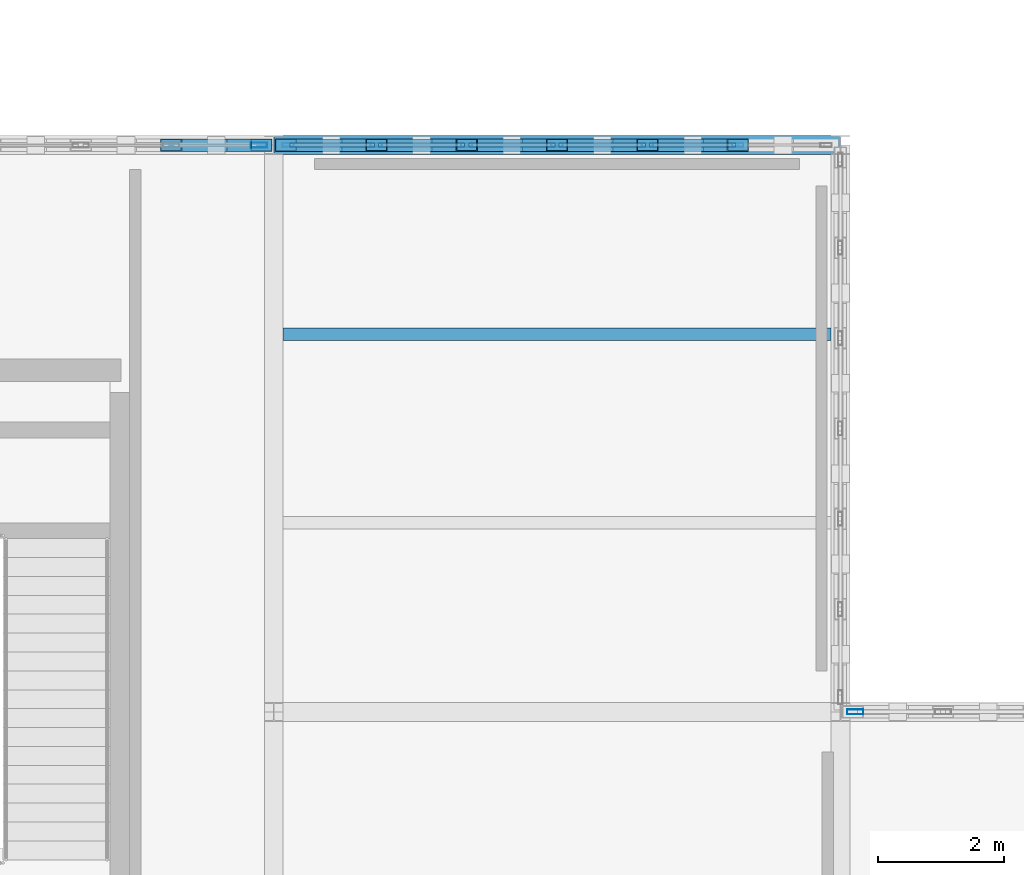
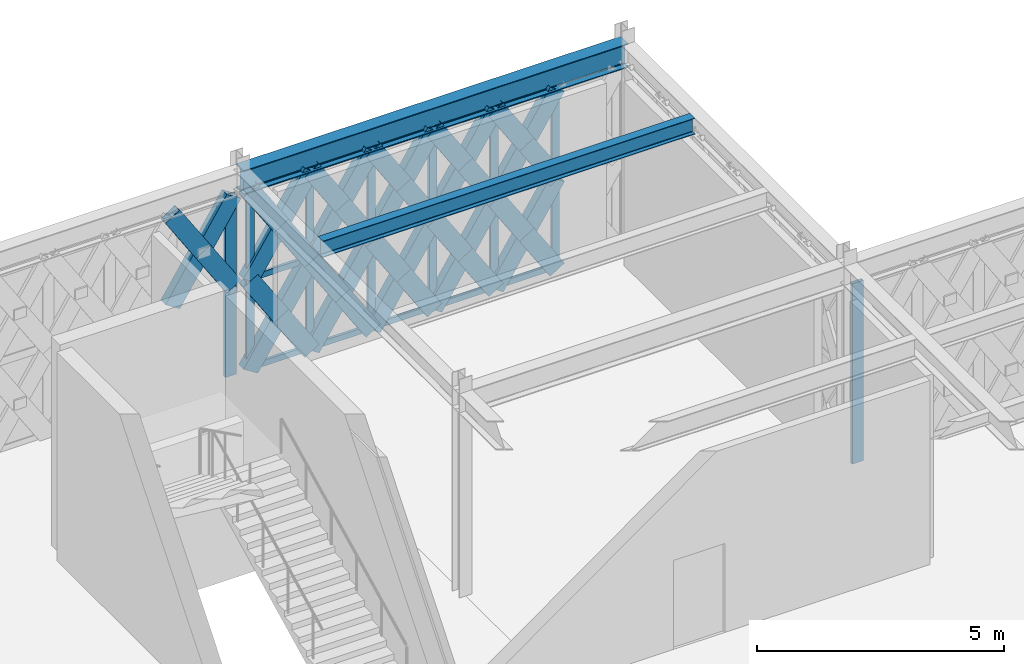
# One storey, part 111 of 155: 56 members, 2 beams, 3 elements without a shape of their own.
"""IFC4 building model written with IfcOpenShell, lengths in metres."""

from ifc_helpers import new_model, si_unit, direction, frame, origin, origin_2d, place, context, subcontext, project, spatial, hollow_rectangle, i_section, extrude, material, material_profile, profile_set, type_object, element, aggregate, save


model = new_model("IFC4")

# Units and contexts
model_context = context("Model", 3, precision=1e-05, world=origin(), true_north=direction((0.0, 1.0)))
body_context = subcontext(model_context, "Body", "Model", "MODEL_VIEW")
ifc_project = project(units=[si_unit("LENGTHUNIT", "METRE"), si_unit("AREAUNIT", "SQUARE_METRE"), si_unit("VOLUMEUNIT", "CUBIC_METRE"), si_unit("PLANEANGLEUNIT", "RADIAN"), si_unit("MASSUNIT", "GRAM", prefix="KILO")], contexts=[model_context])

# Site, building, storey
site_placement = place(None, origin())
site = spatial("IfcSite", under=ifc_project, at=site_placement, CompositionType="ELEMENT")
building_placement = place(site_placement, origin())
building = spatial("IfcBuilding", under=site, at=building_placement, Name="Haizhuo Lancet Aquarium", CompositionType="ELEMENT")
storey_placement = place(building_placement, frame((0.0, 0.0, 10.800048828125)))
storey = spatial("IfcBuildingStorey", under=building, at=storey_placement, Name="L02", CompositionType="ELEMENT", Elevation=10.800048828125)

# Beam
ifc_material_1 = material(Name="Steel S355", Category="steel")
ifc_material_profile_1 = material_profile(ifc_material_1, i_section(OverallWidth=0.300048828125, OverallDepth=0.587890625, WebThickness=0.011962890625, FlangeThickness=0.02001953125, FilletRadius=0.02587890625, at=origin_2d()), Name="HM 588x300x12x20")
ifc_profile_set_1 = profile_set([ifc_material_profile_1], Name="Steel S355")
beam_type_1 = type_object("IfcBeamType", Name="BM-ST-HM588", PredefinedType="BEAM", material=ifc_profile_set_1)
beam_1_placement = place(storey_placement, frame((54.0, 36.0, 4.755859375), z_axis=(1.0, 0.0, 0.0), x_axis=(0.0, 1.0, 0.0)))
element("IfcBeam", 1, at=beam_1_placement, inside=storey, type_object=beam_type_1, Name="L02 V7 primary girder BM-L02-V7-020", PredefinedType="BEAM", context=body_context, shape_type="SweptSolid", body=[
    extrude(i_section(OverallWidth=0.300048828125, OverallDepth=0.587890625, WebThickness=0.011962890625, FlangeThickness=0.02001953125, FilletRadius=0.02587890625, at=origin_2d()), origin(), (0.0, 0.0, 1.0), 9.0),
])

# Curtain wall, members
ifc_material_2 = material(Name="Aluminium 6063-T6", Category="aluminium")
curtain_wall_type = type_object("IfcCurtainWallType", Name="CWD-8610x4460", PredefinedType="NOTDEFINED", material=ifc_material_2)
curtain_wall_1_placement = place(storey_placement, origin())
curtain_wall_1 = element("IfcCurtainWall", 2, at=curtain_wall_1_placement, inside=storey, type_object=curtain_wall_type, Name="L02 curtain wall CW-V7-L02-298", PredefinedType="NOTDEFINED")
ifc_material_profile_2 = material_profile(ifc_material_2, hollow_rectangle(XDim=0.06494140625, YDim=0.179931640625, WallThickness=0.00390625, at=origin_2d()), Name="ALU-M 65x180x4")
ifc_profile_set_2 = profile_set([ifc_material_profile_2], Name="Aluminium 6063-T6")
member_type_1 = type_object("IfcMemberType", Name="CW-MUL-1", PredefinedType="MULLION", material=ifc_profile_set_2)
member_1_placement = place(storey_placement, frame((54.22705078125, 36.0, 0.0), z_axis=(0.0, 0.0, 1.0), x_axis=(0.0, 1.0, 0.0)))
member_1 = element("IfcMember", 3, at=member_1_placement, type_object=member_type_1, Name="CWD-86x44 mullion 1", PredefinedType="MULLION", context=body_context, shape_type="SweptSolid", body=[
    extrude(hollow_rectangle(XDim=0.06494140625, YDim=0.179931640625, WallThickness=0.00390625, at=origin_2d()), origin(), (0.0, 0.0, 1.0), 4.4619140625),
])
member_2_placement = place(storey_placement, frame((55.6298828125, 36.0, 0.0), z_axis=(0.0, 0.0, 1.0), x_axis=(0.0, 1.0, 0.0)))
member_2 = element("IfcMember", 4, at=member_2_placement, type_object=member_type_1, Name="CWD-86x44 mullion 2", PredefinedType="MULLION", context=body_context, shape_type="SweptSolid", body=[
    extrude(hollow_rectangle(XDim=0.06494140625, YDim=0.179931640625, WallThickness=0.00390625, at=origin_2d()), origin(), (0.0, 0.0, 1.0), 4.4619140625),
])
member_3_placement = place(storey_placement, frame((57.06494140625, 36.0, 0.0), z_axis=(0.0, 0.0, 1.0), x_axis=(0.0, 1.0, 0.0)))
member_3 = element("IfcMember", 5, at=member_3_placement, type_object=member_type_1, Name="CWD-86x44 mullion 3", PredefinedType="MULLION", context=body_context, shape_type="SweptSolid", body=[
    extrude(hollow_rectangle(XDim=0.06494140625, YDim=0.179931640625, WallThickness=0.00390625, at=origin_2d()), origin(), (0.0, 0.0, 1.0), 4.4619140625),
])
member_4_placement = place(storey_placement, frame((58.5, 36.0, 0.0), z_axis=(0.0, 0.0, 1.0), x_axis=(0.0, 1.0, 0.0)))
member_4 = element("IfcMember", 6, at=member_4_placement, type_object=member_type_1, Name="CWD-86x44 mullion 4", PredefinedType="MULLION", context=body_context, shape_type="SweptSolid", body=[
    extrude(hollow_rectangle(XDim=0.06494140625, YDim=0.179931640625, WallThickness=0.00390625, at=origin_2d()), origin(), (0.0, 0.0, 1.0), 4.4619140625),
])
member_5_placement = place(storey_placement, frame((59.93505859375, 36.0, 0.0), z_axis=(0.0, 0.0, 1.0), x_axis=(0.0, 1.0, 0.0)))
member_5 = element("IfcMember", 7, at=member_5_placement, type_object=member_type_1, Name="CWD-86x44 mullion 5", PredefinedType="MULLION", context=body_context, shape_type="SweptSolid", body=[
    extrude(hollow_rectangle(XDim=0.06494140625, YDim=0.179931640625, WallThickness=0.00390625, at=origin_2d()), origin(), (0.0, 0.0, 1.0), 4.4619140625),
])
member_6_placement = place(storey_placement, frame((61.3701171875, 36.0, 0.0), z_axis=(0.0, 0.0, 1.0), x_axis=(0.0, 1.0, 0.0)))
member_6 = element("IfcMember", 8, at=member_6_placement, type_object=member_type_1, Name="CWD-86x44 mullion 6", PredefinedType="MULLION", context=body_context, shape_type="SweptSolid", body=[
    extrude(hollow_rectangle(XDim=0.06494140625, YDim=0.179931640625, WallThickness=0.00390625, at=origin_2d()), origin(), (0.0, 0.0, 1.0), 4.4619140625),
])

# Curtain wall, member
curtain_wall_2_placement = place(storey_placement, origin())
curtain_wall_2 = element("IfcCurtainWall", 9, at=curtain_wall_2_placement, inside=storey, type_object=curtain_wall_type, Name="L02 curtain wall CW-V7-L02-297", PredefinedType="NOTDEFINED")
ifc_material_profile_3 = material_profile(ifc_material_2, hollow_rectangle(XDim=0.080078125, YDim=0.260009765625, WallThickness=0.0048828125, at=origin_2d()), Name="ALU-M 80x260x5")
ifc_profile_set_3 = profile_set([ifc_material_profile_3], Name="Aluminium 6063-T6")
member_type_2 = type_object("IfcMemberType", Name="CW-MUL-3", PredefinedType="MULLION", material=ifc_profile_set_3)
member_7_placement = place(storey_placement, frame((53.764892578125, 36.0, 0.0), z_axis=(0.0, 0.0, 1.0), x_axis=(0.0, 1.0, 0.0)))
member_7 = element("IfcMember", 10, at=member_7_placement, type_object=member_type_2, Name="CWD-86x44 mullion 7", PredefinedType="MULLION", context=body_context, shape_type="SweptSolid", body=[
    extrude(hollow_rectangle(XDim=0.080078125, YDim=0.260009765625, WallThickness=0.0048828125, at=origin_2d()), origin(), (0.0, 0.0, 1.0), 4.4619140625),
])
aggregate(curtain_wall_2, [member_7])

curtain_wall_3_placement = place(storey_placement, origin())
curtain_wall_3 = element("IfcCurtainWall", 11, at=curtain_wall_3_placement, inside=storey, type_object=curtain_wall_type, Name="L02 curtain wall CW-V7-L02-300", PredefinedType="NOTDEFINED")
member_8_placement = place(storey_placement, frame((63.235107421875, 27.0, 0.0), z_axis=(0.0, 0.0, 1.0), x_axis=(0.0, 1.0, 0.0)))
member_8 = element("IfcMember", 12, at=member_8_placement, type_object=member_type_2, Name="CWD-86x44 mullion 1", PredefinedType="MULLION", context=body_context, shape_type="SweptSolid", body=[
    extrude(hollow_rectangle(XDim=0.080078125, YDim=0.260009765625, WallThickness=0.0048828125, at=origin_2d()), origin(), (0.0, 0.0, 1.0), 4.4619140625),
])
aggregate(curtain_wall_3, [member_8])

# Member
ifc_material_profile_4 = material_profile(ifc_material_2, hollow_rectangle(XDim=0.06494140625, YDim=0.139892578125, WallThickness=0.00390625, at=origin_2d()), Name="ALU-T 65x140x4")
ifc_profile_set_4 = profile_set([ifc_material_profile_4], Name="Aluminium 6063-T6")
member_type_3 = type_object("IfcMemberType", Name="CW-TRN-1", PredefinedType="NOTDEFINED", material=ifc_profile_set_4)
member_9_placement = place(storey_placement, frame((54.260009765625, 36.0, 0.032958984375), z_axis=(1.0, 0.0, 0.0), x_axis=(0.0, 1.0, 0.0)))
member_9 = element("IfcMember", 13, at=member_9_placement, type_object=member_type_3, Name="CWD-86x44 transom 1.1", ObjectType="TRANSOM", PredefinedType="USERDEFINED", context=body_context, shape_type="SweptSolid", body=[
    extrude(hollow_rectangle(XDim=0.06494140625, YDim=0.139892578125, WallThickness=0.00390625, at=origin_2d()), origin(), (0.0, 0.0, 1.0), 1.3369140625),
])

member_10_placement = place(storey_placement, frame((54.260009765625, 36.0, 2.23095703125), z_axis=(1.0, 0.0, 0.0), x_axis=(0.0, 1.0, 0.0)))
member_10 = element("IfcMember", 14, at=member_10_placement, type_object=member_type_3, Name="CWD-86x44 transom 1.2", ObjectType="TRANSOM", PredefinedType="USERDEFINED", context=body_context, shape_type="SweptSolid", body=[
    extrude(hollow_rectangle(XDim=0.06494140625, YDim=0.139892578125, WallThickness=0.00390625, at=origin_2d()), origin(), (0.0, 0.0, 1.0), 1.3369140625),
])

member_11_placement = place(storey_placement, frame((54.260009765625, 36.0, 4.428955078125), z_axis=(1.0, 0.0, 0.0), x_axis=(0.0, 1.0, 0.0)))
member_11 = element("IfcMember", 15, at=member_11_placement, type_object=member_type_3, Name="CWD-86x44 transom 1.3", ObjectType="TRANSOM", PredefinedType="USERDEFINED", context=body_context, shape_type="SweptSolid", body=[
    extrude(hollow_rectangle(XDim=0.06494140625, YDim=0.139892578125, WallThickness=0.00390625, at=origin_2d()), origin(), (0.0, 0.0, 1.0), 1.3369140625),
])

member_12_placement = place(storey_placement, frame((55.6630859375, 36.0, 0.032958984375), z_axis=(1.0, 0.0, 0.0), x_axis=(0.0, 1.0, 0.0)))
member_12 = element("IfcMember", 16, at=member_12_placement, type_object=member_type_3, Name="CWD-86x44 transom 2.1", ObjectType="TRANSOM", PredefinedType="USERDEFINED", context=body_context, shape_type="SweptSolid", body=[
    extrude(hollow_rectangle(XDim=0.06494140625, YDim=0.139892578125, WallThickness=0.00390625, at=origin_2d()), origin(), (0.0, 0.0, 1.0), 1.368896484375),
])

member_13_placement = place(storey_placement, frame((55.6630859375, 36.0, 2.23095703125), z_axis=(1.0, 0.0, 0.0), x_axis=(0.0, 1.0, 0.0)))
member_13 = element("IfcMember", 17, at=member_13_placement, type_object=member_type_3, Name="CWD-86x44 transom 2.2", ObjectType="TRANSOM", PredefinedType="USERDEFINED", context=body_context, shape_type="SweptSolid", body=[
    extrude(hollow_rectangle(XDim=0.06494140625, YDim=0.139892578125, WallThickness=0.00390625, at=origin_2d()), origin(), (0.0, 0.0, 1.0), 1.368896484375),
])

member_14_placement = place(storey_placement, frame((55.6630859375, 36.0, 4.428955078125), z_axis=(1.0, 0.0, 0.0), x_axis=(0.0, 1.0, 0.0)))
member_14 = element("IfcMember", 18, at=member_14_placement, type_object=member_type_3, Name="CWD-86x44 transom 2.3", ObjectType="TRANSOM", PredefinedType="USERDEFINED", context=body_context, shape_type="SweptSolid", body=[
    extrude(hollow_rectangle(XDim=0.06494140625, YDim=0.139892578125, WallThickness=0.00390625, at=origin_2d()), origin(), (0.0, 0.0, 1.0), 1.368896484375),
])

member_15_placement = place(storey_placement, frame((57.096923828125, 36.0, 0.032958984375), z_axis=(1.0, 0.0, 0.0), x_axis=(0.0, 1.0, 0.0)))
member_15 = element("IfcMember", 19, at=member_15_placement, type_object=member_type_3, Name="CWD-86x44 transom 3.1", ObjectType="TRANSOM", PredefinedType="USERDEFINED", context=body_context, shape_type="SweptSolid", body=[
    extrude(hollow_rectangle(XDim=0.06494140625, YDim=0.139892578125, WallThickness=0.00390625, at=origin_2d()), origin(), (0.0, 0.0, 1.0), 1.37109375),
])

member_16_placement = place(storey_placement, frame((57.096923828125, 36.0, 2.23095703125), z_axis=(1.0, 0.0, 0.0), x_axis=(0.0, 1.0, 0.0)))
member_16 = element("IfcMember", 20, at=member_16_placement, type_object=member_type_3, Name="CWD-86x44 transom 3.2", ObjectType="TRANSOM", PredefinedType="USERDEFINED", context=body_context, shape_type="SweptSolid", body=[
    extrude(hollow_rectangle(XDim=0.06494140625, YDim=0.139892578125, WallThickness=0.00390625, at=origin_2d()), origin(), (0.0, 0.0, 1.0), 1.37109375),
])

member_17_placement = place(storey_placement, frame((57.096923828125, 36.0, 4.428955078125), z_axis=(1.0, 0.0, 0.0), x_axis=(0.0, 1.0, 0.0)))
member_17 = element("IfcMember", 21, at=member_17_placement, type_object=member_type_3, Name="CWD-86x44 transom 3.3", ObjectType="TRANSOM", PredefinedType="USERDEFINED", context=body_context, shape_type="SweptSolid", body=[
    extrude(hollow_rectangle(XDim=0.06494140625, YDim=0.139892578125, WallThickness=0.00390625, at=origin_2d()), origin(), (0.0, 0.0, 1.0), 1.37109375),
])

member_18_placement = place(storey_placement, frame((58.531982421875, 36.0, 0.032958984375), z_axis=(1.0, 0.0, 0.0), x_axis=(0.0, 1.0, 0.0)))
member_18 = element("IfcMember", 22, at=member_18_placement, type_object=member_type_3, Name="CWD-86x44 transom 4.1", ObjectType="TRANSOM", PredefinedType="USERDEFINED", context=body_context, shape_type="SweptSolid", body=[
    extrude(hollow_rectangle(XDim=0.06494140625, YDim=0.139892578125, WallThickness=0.00390625, at=origin_2d()), origin(), (0.0, 0.0, 1.0), 1.37109375),
])

member_19_placement = place(storey_placement, frame((58.531982421875, 36.0, 2.23095703125), z_axis=(1.0, 0.0, 0.0), x_axis=(0.0, 1.0, 0.0)))
member_19 = element("IfcMember", 23, at=member_19_placement, type_object=member_type_3, Name="CWD-86x44 transom 4.2", ObjectType="TRANSOM", PredefinedType="USERDEFINED", context=body_context, shape_type="SweptSolid", body=[
    extrude(hollow_rectangle(XDim=0.06494140625, YDim=0.139892578125, WallThickness=0.00390625, at=origin_2d()), origin(), (0.0, 0.0, 1.0), 1.37109375),
])

member_20_placement = place(storey_placement, frame((58.531982421875, 36.0, 4.428955078125), z_axis=(1.0, 0.0, 0.0), x_axis=(0.0, 1.0, 0.0)))
member_20 = element("IfcMember", 24, at=member_20_placement, type_object=member_type_3, Name="CWD-86x44 transom 4.3", ObjectType="TRANSOM", PredefinedType="USERDEFINED", context=body_context, shape_type="SweptSolid", body=[
    extrude(hollow_rectangle(XDim=0.06494140625, YDim=0.139892578125, WallThickness=0.00390625, at=origin_2d()), origin(), (0.0, 0.0, 1.0), 1.37109375),
])

member_21_placement = place(storey_placement, frame((59.968017578125, 36.0, 0.032958984375), z_axis=(1.0, 0.0, 0.0), x_axis=(0.0, 1.0, 0.0)))
member_21 = element("IfcMember", 25, at=member_21_placement, type_object=member_type_3, Name="CWD-86x44 transom 5.1", ObjectType="TRANSOM", PredefinedType="USERDEFINED", context=body_context, shape_type="SweptSolid", body=[
    extrude(hollow_rectangle(XDim=0.06494140625, YDim=0.139892578125, WallThickness=0.00390625, at=origin_2d()), origin(), (0.0, 0.0, 1.0), 1.368896484375),
])

member_22_placement = place(storey_placement, frame((59.968017578125, 36.0, 2.23095703125), z_axis=(1.0, 0.0, 0.0), x_axis=(0.0, 1.0, 0.0)))
member_22 = element("IfcMember", 26, at=member_22_placement, type_object=member_type_3, Name="CWD-86x44 transom 5.2", ObjectType="TRANSOM", PredefinedType="USERDEFINED", context=body_context, shape_type="SweptSolid", body=[
    extrude(hollow_rectangle(XDim=0.06494140625, YDim=0.139892578125, WallThickness=0.00390625, at=origin_2d()), origin(), (0.0, 0.0, 1.0), 1.368896484375),
])

member_23_placement = place(storey_placement, frame((59.968017578125, 36.0, 4.428955078125), z_axis=(1.0, 0.0, 0.0), x_axis=(0.0, 1.0, 0.0)))
member_23 = element("IfcMember", 27, at=member_23_placement, type_object=member_type_3, Name="CWD-86x44 transom 5.3", ObjectType="TRANSOM", PredefinedType="USERDEFINED", context=body_context, shape_type="SweptSolid", body=[
    extrude(hollow_rectangle(XDim=0.06494140625, YDim=0.139892578125, WallThickness=0.00390625, at=origin_2d()), origin(), (0.0, 0.0, 1.0), 1.368896484375),
])

aggregate(curtain_wall_1, [member_1, member_2, member_3, member_4, member_5, member_6, member_9, member_10, member_11, member_12, member_13, member_14, member_15, member_16, member_17, member_18, member_19, member_20, member_21, member_22, member_23])

# Beam
ifc_material_profile_5 = material_profile(ifc_material_1, i_section(OverallWidth=0.199951171875, OverallDepth=0.39990234375, WebThickness=0.008056640625, FlangeThickness=0.012939453125, FilletRadius=0.01611328125, at=origin_2d()), Name="HN 400x200x8x13")
ifc_profile_set_5 = profile_set([ifc_material_profile_5], Name="Steel S355")
beam_type_2 = type_object("IfcBeamType", Name="JST-ST-HN400", PredefinedType="JOIST", material=ifc_profile_set_5)
beam_2_placement = place(storey_placement, frame((54.14990234375, 33.0, 4.849853515625), z_axis=(1.0, 0.0, 0.0), x_axis=(0.0, 1.0, 0.0)))
element("IfcBeam", 28, at=beam_2_placement, inside=storey, type_object=beam_type_2, Name="L02 V7 secondary floor joist 14", PredefinedType="JOIST", context=body_context, shape_type="SweptSolid", body=[
    extrude(i_section(OverallWidth=0.199951171875, OverallDepth=0.39990234375, WebThickness=0.008056640625, FlangeThickness=0.012939453125, FilletRadius=0.01611328125, at=origin_2d()), origin(), (0.0, 0.0, 1.0), 8.7001953125),
])

# Members
ifc_material_profile_6 = material_profile(ifc_material_1, hollow_rectangle(XDim=0.199951171875, YDim=0.39990234375, WallThickness=0.011962890625, at=origin_2d()), Name="RHS 200x400x12")
ifc_profile_set_6 = profile_set([ifc_material_profile_6], Name="Steel S355")
member_type_4 = type_object("IfcMemberType", Name="MEM-LB-RHS200x400", PredefinedType="BRACE", material=ifc_profile_set_6)
member_24_placement = place(storey_placement, frame((52.3701171875, 36.0, 2.23095703125), z_axis=(0.540925048726, 0.0, 0.841070800623), x_axis=(0.0, 1.0, 0.0)))
element("IfcMember", 29, at=member_24_placement, inside=storey, type_object=member_type_4, Name="Gothic lancet continuous diagonal brace CW-V7-L02-297 12A", PredefinedType="BRACE", context=body_context, shape_type="SweptSolid", body=[
    extrude(hollow_rectangle(XDim=0.199951171875, YDim=0.39990234375, WallThickness=0.011962890625, at=origin_2d()), origin(), (0.0, 0.0, 1.0), 2.652587890625),
])
member_25_placement = place(storey_placement, frame((53.804931640625, 36.0, 2.23095703125), z_axis=(-0.541418033285, 0.0, 0.840753538936), x_axis=(0.0, -1.0, 0.0)))
element("IfcMember", 30, at=member_25_placement, inside=storey, type_object=member_type_4, Name="Gothic lancet split diagonal brace CW-V7-L02-297 12B1", PredefinedType="BRACE", context=body_context, shape_type="SweptSolid", body=[
    extrude(hollow_rectangle(XDim=0.199951171875, YDim=0.39990234375, WallThickness=0.011962890625, at=origin_2d()), origin(), (0.0, 0.0, 1.0), 1.326171875),
])
member_26_placement = place(storey_placement, frame((53.0869140625, 36.0, 3.345947265625), z_axis=(-0.540431938152, 0.0, 0.841387734772), x_axis=(0.0, -1.0, 0.0)))
element("IfcMember", 31, at=member_26_placement, inside=storey, type_object=member_type_4, Name="Gothic lancet split diagonal brace CW-V7-L02-297 12B2", PredefinedType="BRACE", context=body_context, shape_type="SweptSolid", body=[
    extrude(hollow_rectangle(XDim=0.199951171875, YDim=0.39990234375, WallThickness=0.011962890625, at=origin_2d()), origin(), (0.0, 0.0, 1.0), 1.326416015625),
])
member_27_placement = place(storey_placement, frame((54.195068359375, 36.0, 0.0), z_axis=(0.540925048726, 0.0, 0.841070800623), x_axis=(0.0, 1.0, 0.0)))
element("IfcMember", 32, at=member_27_placement, inside=storey, type_object=member_type_4, Name="Gothic lancet continuous diagonal brace CW-V7-L02-298 1A", PredefinedType="BRACE", context=body_context, shape_type="SweptSolid", body=[
    extrude(hollow_rectangle(XDim=0.199951171875, YDim=0.39990234375, WallThickness=0.011962890625, at=origin_2d()), origin(), (0.0, 0.0, 1.0), 2.652587890625),
])
member_28_placement = place(storey_placement, frame((55.6298828125, 36.0, 0.0), z_axis=(-0.540431938152, 0.0, 0.841387734772), x_axis=(0.0, -1.0, 0.0)))
element("IfcMember", 33, at=member_28_placement, inside=storey, type_object=member_type_4, Name="Gothic lancet split diagonal brace CW-V7-L02-298 1B1", PredefinedType="BRACE", context=body_context, shape_type="SweptSolid", body=[
    extrude(hollow_rectangle(XDim=0.199951171875, YDim=0.39990234375, WallThickness=0.011962890625, at=origin_2d()), origin(), (0.0, 0.0, 1.0), 1.326416015625),
])
member_29_placement = place(storey_placement, frame((54.9130859375, 36.0, 1.115966796875), z_axis=(-0.541418033285, 0.0, 0.840753538936), x_axis=(0.0, -1.0, 0.0)))
element("IfcMember", 34, at=member_29_placement, inside=storey, type_object=member_type_4, Name="Gothic lancet split diagonal brace CW-V7-L02-298 1B2", PredefinedType="BRACE", context=body_context, shape_type="SweptSolid", body=[
    extrude(hollow_rectangle(XDim=0.199951171875, YDim=0.39990234375, WallThickness=0.011962890625, at=origin_2d()), origin(), (0.0, 0.0, 1.0), 1.326171875),
])
member_30_placement = place(storey_placement, frame((54.195068359375, 36.0, 2.23095703125), z_axis=(0.540925048726, 0.0, 0.841070800623), x_axis=(0.0, 1.0, 0.0)))
element("IfcMember", 35, at=member_30_placement, inside=storey, type_object=member_type_4, Name="Gothic lancet continuous diagonal brace CW-V7-L02-298 2A", PredefinedType="BRACE", context=body_context, shape_type="SweptSolid", body=[
    extrude(hollow_rectangle(XDim=0.199951171875, YDim=0.39990234375, WallThickness=0.011962890625, at=origin_2d()), origin(), (0.0, 0.0, 1.0), 2.652587890625),
])
member_31_placement = place(storey_placement, frame((55.6298828125, 36.0, 2.23095703125), z_axis=(-0.540766900265, 0.0, 0.841172490978), x_axis=(0.0, -1.0, 0.0)))
element("IfcMember", 36, at=member_31_placement, inside=storey, type_object=member_type_4, Name="Gothic lancet split diagonal brace CW-V7-L02-298 2B1", PredefinedType="BRACE", context=body_context, shape_type="SweptSolid", body=[
    extrude(hollow_rectangle(XDim=0.199951171875, YDim=0.39990234375, WallThickness=0.011962890625, at=origin_2d()), origin(), (0.0, 0.0, 1.0), 1.325439453125),
])
member_32_placement = place(storey_placement, frame((54.9130859375, 36.0, 3.345947265625), z_axis=(-0.541083001516, 0.0, 0.840969194127), x_axis=(0.0, -1.0, 0.0)))
element("IfcMember", 37, at=member_32_placement, inside=storey, type_object=member_type_4, Name="Gothic lancet split diagonal brace CW-V7-L02-298 2B2", PredefinedType="BRACE", context=body_context, shape_type="SweptSolid", body=[
    extrude(hollow_rectangle(XDim=0.199951171875, YDim=0.39990234375, WallThickness=0.011962890625, at=origin_2d()), origin(), (0.0, 0.0, 1.0), 1.326904296875),
])
member_33_placement = place(storey_placement, frame((55.6298828125, 36.0, 0.0), z_axis=(0.540990153687, 0.0, 0.841028925551), x_axis=(0.0, 1.0, 0.0)))
element("IfcMember", 38, at=member_33_placement, inside=storey, type_object=member_type_4, Name="Gothic lancet continuous diagonal brace CW-V7-L02-298 3A", PredefinedType="BRACE", context=body_context, shape_type="SweptSolid", body=[
    extrude(hollow_rectangle(XDim=0.199951171875, YDim=0.39990234375, WallThickness=0.011962890625, at=origin_2d()), origin(), (0.0, 0.0, 1.0), 2.652587890625),
])
member_34_placement = place(storey_placement, frame((57.06494140625, 36.0, 0.0), z_axis=(-0.541083001516, 0.0, 0.840969194127), x_axis=(0.0, -1.0, 0.0)))
element("IfcMember", 39, at=member_34_placement, inside=storey, type_object=member_type_4, Name="Gothic lancet split diagonal brace CW-V7-L02-298 3B1", PredefinedType="BRACE", context=body_context, shape_type="SweptSolid", body=[
    extrude(hollow_rectangle(XDim=0.199951171875, YDim=0.39990234375, WallThickness=0.011962890625, at=origin_2d()), origin(), (0.0, 0.0, 1.0), 1.326904296875),
])
member_35_placement = place(storey_placement, frame((56.346923828125, 36.0, 1.115966796875), z_axis=(-0.540897204727, 0.0, 0.841088707521), x_axis=(0.0, -1.0, 0.0)))
element("IfcMember", 40, at=member_35_placement, inside=storey, type_object=member_type_4, Name="Gothic lancet split diagonal brace CW-V7-L02-298 3B2", PredefinedType="BRACE", context=body_context, shape_type="SweptSolid", body=[
    extrude(hollow_rectangle(XDim=0.199951171875, YDim=0.39990234375, WallThickness=0.011962890625, at=origin_2d()), origin(), (0.0, 0.0, 1.0), 1.32568359375),
])
member_36_placement = place(storey_placement, frame((55.6298828125, 36.0, 2.23095703125), z_axis=(0.540990153687, 0.0, 0.841028925551), x_axis=(0.0, 1.0, 0.0)))
element("IfcMember", 41, at=member_36_placement, inside=storey, type_object=member_type_4, Name="Gothic lancet continuous diagonal brace CW-V7-L02-298 4A", PredefinedType="BRACE", context=body_context, shape_type="SweptSolid", body=[
    extrude(hollow_rectangle(XDim=0.199951171875, YDim=0.39990234375, WallThickness=0.011962890625, at=origin_2d()), origin(), (0.0, 0.0, 1.0), 2.652587890625),
])
member_37_placement = place(storey_placement, frame((57.06494140625, 36.0, 2.23095703125), z_axis=(-0.541418033285, 0.0, 0.840753538936), x_axis=(0.0, -1.0, 0.0)))
element("IfcMember", 42, at=member_37_placement, inside=storey, type_object=member_type_4, Name="Gothic lancet split diagonal brace CW-V7-L02-298 4B1", PredefinedType="BRACE", context=body_context, shape_type="SweptSolid", body=[
    extrude(hollow_rectangle(XDim=0.199951171875, YDim=0.39990234375, WallThickness=0.011962890625, at=origin_2d()), origin(), (0.0, 0.0, 1.0), 1.326171875),
])
member_38_placement = place(storey_placement, frame((56.346923828125, 36.0, 3.345947265625), z_axis=(-0.540562228578, 0.0, 0.84130403365), x_axis=(0.0, -1.0, 0.0)))
element("IfcMember", 43, at=member_38_placement, inside=storey, type_object=member_type_4, Name="Gothic lancet split diagonal brace CW-V7-L02-298 4B2", PredefinedType="BRACE", context=body_context, shape_type="SweptSolid", body=[
    extrude(hollow_rectangle(XDim=0.199951171875, YDim=0.39990234375, WallThickness=0.011962890625, at=origin_2d()), origin(), (0.0, 0.0, 1.0), 1.326416015625),
])
member_39_placement = place(storey_placement, frame((57.06494140625, 36.0, 0.0), z_axis=(0.540990153687, 0.0, 0.841028925551), x_axis=(0.0, 1.0, 0.0)))
element("IfcMember", 44, at=member_39_placement, inside=storey, type_object=member_type_4, Name="Gothic lancet continuous diagonal brace CW-V7-L02-298 5A", PredefinedType="BRACE", context=body_context, shape_type="SweptSolid", body=[
    extrude(hollow_rectangle(XDim=0.199951171875, YDim=0.39990234375, WallThickness=0.011962890625, at=origin_2d()), origin(), (0.0, 0.0, 1.0), 2.652587890625),
])
member_40_placement = place(storey_placement, frame((58.5, 36.0, 0.0), z_axis=(-0.541083001516, 0.0, 0.840969194127), x_axis=(0.0, -1.0, 0.0)))
element("IfcMember", 45, at=member_40_placement, inside=storey, type_object=member_type_4, Name="Gothic lancet split diagonal brace CW-V7-L02-298 5B1", PredefinedType="BRACE", context=body_context, shape_type="SweptSolid", body=[
    extrude(hollow_rectangle(XDim=0.199951171875, YDim=0.39990234375, WallThickness=0.011962890625, at=origin_2d()), origin(), (0.0, 0.0, 1.0), 1.326904296875),
])
member_41_placement = place(storey_placement, frame((57.781982421875, 36.0, 1.115966796875), z_axis=(-0.540897204727, 0.0, 0.841088707521), x_axis=(0.0, -1.0, 0.0)))
element("IfcMember", 46, at=member_41_placement, inside=storey, type_object=member_type_4, Name="Gothic lancet split diagonal brace CW-V7-L02-298 5B2", PredefinedType="BRACE", context=body_context, shape_type="SweptSolid", body=[
    extrude(hollow_rectangle(XDim=0.199951171875, YDim=0.39990234375, WallThickness=0.011962890625, at=origin_2d()), origin(), (0.0, 0.0, 1.0), 1.32568359375),
])
member_42_placement = place(storey_placement, frame((57.06494140625, 36.0, 2.23095703125), z_axis=(0.540990153687, 0.0, 0.841028925551), x_axis=(0.0, 1.0, 0.0)))
element("IfcMember", 47, at=member_42_placement, inside=storey, type_object=member_type_4, Name="Gothic lancet continuous diagonal brace CW-V7-L02-298 6A", PredefinedType="BRACE", context=body_context, shape_type="SweptSolid", body=[
    extrude(hollow_rectangle(XDim=0.199951171875, YDim=0.39990234375, WallThickness=0.011962890625, at=origin_2d()), origin(), (0.0, 0.0, 1.0), 2.652587890625),
])
member_43_placement = place(storey_placement, frame((58.5, 36.0, 2.23095703125), z_axis=(-0.541418033285, 0.0, 0.840753538936), x_axis=(0.0, -1.0, 0.0)))
element("IfcMember", 48, at=member_43_placement, inside=storey, type_object=member_type_4, Name="Gothic lancet split diagonal brace CW-V7-L02-298 6B1", PredefinedType="BRACE", context=body_context, shape_type="SweptSolid", body=[
    extrude(hollow_rectangle(XDim=0.199951171875, YDim=0.39990234375, WallThickness=0.011962890625, at=origin_2d()), origin(), (0.0, 0.0, 1.0), 1.326171875),
])
member_44_placement = place(storey_placement, frame((57.781982421875, 36.0, 3.345947265625), z_axis=(-0.540562228578, 0.0, 0.84130403365), x_axis=(0.0, -1.0, 0.0)))
element("IfcMember", 49, at=member_44_placement, inside=storey, type_object=member_type_4, Name="Gothic lancet split diagonal brace CW-V7-L02-298 6B2", PredefinedType="BRACE", context=body_context, shape_type="SweptSolid", body=[
    extrude(hollow_rectangle(XDim=0.199951171875, YDim=0.39990234375, WallThickness=0.011962890625, at=origin_2d()), origin(), (0.0, 0.0, 1.0), 1.326416015625),
])
member_45_placement = place(storey_placement, frame((58.5, 36.0, 0.0), z_axis=(0.540990153687, 0.0, 0.841028925551), x_axis=(0.0, 1.0, 0.0)))
element("IfcMember", 50, at=member_45_placement, inside=storey, type_object=member_type_4, Name="Gothic lancet continuous diagonal brace CW-V7-L02-298 7A", PredefinedType="BRACE", context=body_context, shape_type="SweptSolid", body=[
    extrude(hollow_rectangle(XDim=0.199951171875, YDim=0.39990234375, WallThickness=0.011962890625, at=origin_2d()), origin(), (0.0, 0.0, 1.0), 2.652587890625),
])
member_46_placement = place(storey_placement, frame((59.93505859375, 36.0, 0.0), z_axis=(-0.540562228578, 0.0, 0.84130403365), x_axis=(0.0, -1.0, 0.0)))
element("IfcMember", 51, at=member_46_placement, inside=storey, type_object=member_type_4, Name="Gothic lancet split diagonal brace CW-V7-L02-298 7B1", PredefinedType="BRACE", context=body_context, shape_type="SweptSolid", body=[
    extrude(hollow_rectangle(XDim=0.199951171875, YDim=0.39990234375, WallThickness=0.011962890625, at=origin_2d()), origin(), (0.0, 0.0, 1.0), 1.326416015625),
])
member_47_placement = place(storey_placement, frame((59.218017578125, 36.0, 1.115966796875), z_axis=(-0.541418033285, 0.0, 0.840753538936), x_axis=(0.0, -1.0, 0.0)))
element("IfcMember", 52, at=member_47_placement, inside=storey, type_object=member_type_4, Name="Gothic lancet split diagonal brace CW-V7-L02-298 7B2", PredefinedType="BRACE", context=body_context, shape_type="SweptSolid", body=[
    extrude(hollow_rectangle(XDim=0.199951171875, YDim=0.39990234375, WallThickness=0.011962890625, at=origin_2d()), origin(), (0.0, 0.0, 1.0), 1.326171875),
])
member_48_placement = place(storey_placement, frame((58.5, 36.0, 2.23095703125), z_axis=(0.540990153687, 0.0, 0.841028925551), x_axis=(0.0, 1.0, 0.0)))
element("IfcMember", 53, at=member_48_placement, inside=storey, type_object=member_type_4, Name="Gothic lancet continuous diagonal brace CW-V7-L02-298 8A", PredefinedType="BRACE", context=body_context, shape_type="SweptSolid", body=[
    extrude(hollow_rectangle(XDim=0.199951171875, YDim=0.39990234375, WallThickness=0.011962890625, at=origin_2d()), origin(), (0.0, 0.0, 1.0), 2.652587890625),
])
member_49_placement = place(storey_placement, frame((59.93505859375, 36.0, 2.23095703125), z_axis=(-0.540897204727, 0.0, 0.841088707521), x_axis=(0.0, -1.0, 0.0)))
element("IfcMember", 54, at=member_49_placement, inside=storey, type_object=member_type_4, Name="Gothic lancet split diagonal brace CW-V7-L02-298 8B1", PredefinedType="BRACE", context=body_context, shape_type="SweptSolid", body=[
    extrude(hollow_rectangle(XDim=0.199951171875, YDim=0.39990234375, WallThickness=0.011962890625, at=origin_2d()), origin(), (0.0, 0.0, 1.0), 1.32568359375),
])
member_50_placement = place(storey_placement, frame((59.218017578125, 36.0, 3.345947265625), z_axis=(-0.541083001516, 0.0, 0.840969194127), x_axis=(0.0, -1.0, 0.0)))
element("IfcMember", 55, at=member_50_placement, inside=storey, type_object=member_type_4, Name="Gothic lancet split diagonal brace CW-V7-L02-298 8B2", PredefinedType="BRACE", context=body_context, shape_type="SweptSolid", body=[
    extrude(hollow_rectangle(XDim=0.199951171875, YDim=0.39990234375, WallThickness=0.011962890625, at=origin_2d()), origin(), (0.0, 0.0, 1.0), 1.326904296875),
])
member_51_placement = place(storey_placement, frame((59.93505859375, 36.0, 0.0), z_axis=(0.540990153687, 0.0, 0.841028925551), x_axis=(0.0, 1.0, 0.0)))
element("IfcMember", 56, at=member_51_placement, inside=storey, type_object=member_type_4, Name="Gothic lancet continuous diagonal brace CW-V7-L02-298 9A", PredefinedType="BRACE", context=body_context, shape_type="SweptSolid", body=[
    extrude(hollow_rectangle(XDim=0.199951171875, YDim=0.39990234375, WallThickness=0.011962890625, at=origin_2d()), origin(), (0.0, 0.0, 1.0), 2.652587890625),
])
member_52_placement = place(storey_placement, frame((61.3701171875, 36.0, 0.0), z_axis=(-0.540562228578, 0.0, 0.84130403365), x_axis=(0.0, -1.0, 0.0)))
element("IfcMember", 57, at=member_52_placement, inside=storey, type_object=member_type_4, Name="Gothic lancet split diagonal brace CW-V7-L02-298 9B1", PredefinedType="BRACE", context=body_context, shape_type="SweptSolid", body=[
    extrude(hollow_rectangle(XDim=0.199951171875, YDim=0.39990234375, WallThickness=0.011962890625, at=origin_2d()), origin(), (0.0, 0.0, 1.0), 1.326416015625),
])
member_53_placement = place(storey_placement, frame((60.653076171875, 36.0, 1.115966796875), z_axis=(-0.541418033285, 0.0, 0.840753538936), x_axis=(0.0, -1.0, 0.0)))
element("IfcMember", 58, at=member_53_placement, inside=storey, type_object=member_type_4, Name="Gothic lancet split diagonal brace CW-V7-L02-298 9B2", PredefinedType="BRACE", context=body_context, shape_type="SweptSolid", body=[
    extrude(hollow_rectangle(XDim=0.199951171875, YDim=0.39990234375, WallThickness=0.011962890625, at=origin_2d()), origin(), (0.0, 0.0, 1.0), 1.326171875),
])
member_54_placement = place(storey_placement, frame((59.93505859375, 36.0, 2.23095703125), z_axis=(0.540990153687, 0.0, 0.841028925551), x_axis=(0.0, 1.0, 0.0)))
element("IfcMember", 59, at=member_54_placement, inside=storey, type_object=member_type_4, Name="Gothic lancet continuous diagonal brace CW-V7-L02-298 10A", PredefinedType="BRACE", context=body_context, shape_type="SweptSolid", body=[
    extrude(hollow_rectangle(XDim=0.199951171875, YDim=0.39990234375, WallThickness=0.011962890625, at=origin_2d()), origin(), (0.0, 0.0, 1.0), 2.652587890625),
])
member_55_placement = place(storey_placement, frame((61.3701171875, 36.0, 2.23095703125), z_axis=(-0.540897204727, 0.0, 0.841088707521), x_axis=(0.0, -1.0, 0.0)))
element("IfcMember", 60, at=member_55_placement, inside=storey, type_object=member_type_4, Name="Gothic lancet split diagonal brace CW-V7-L02-298 10B1", PredefinedType="BRACE", context=body_context, shape_type="SweptSolid", body=[
    extrude(hollow_rectangle(XDim=0.199951171875, YDim=0.39990234375, WallThickness=0.011962890625, at=origin_2d()), origin(), (0.0, 0.0, 1.0), 1.32568359375),
])
member_56_placement = place(storey_placement, frame((60.653076171875, 36.0, 3.345947265625), z_axis=(-0.541083001516, 0.0, 0.840969194127), x_axis=(0.0, -1.0, 0.0)))
element("IfcMember", 61, at=member_56_placement, inside=storey, type_object=member_type_4, Name="Gothic lancet split diagonal brace CW-V7-L02-298 10B2", PredefinedType="BRACE", context=body_context, shape_type="SweptSolid", body=[
    extrude(hollow_rectangle(XDim=0.199951171875, YDim=0.39990234375, WallThickness=0.011962890625, at=origin_2d()), origin(), (0.0, 0.0, 1.0), 1.326904296875),
])

save(model, "model.ifc")
